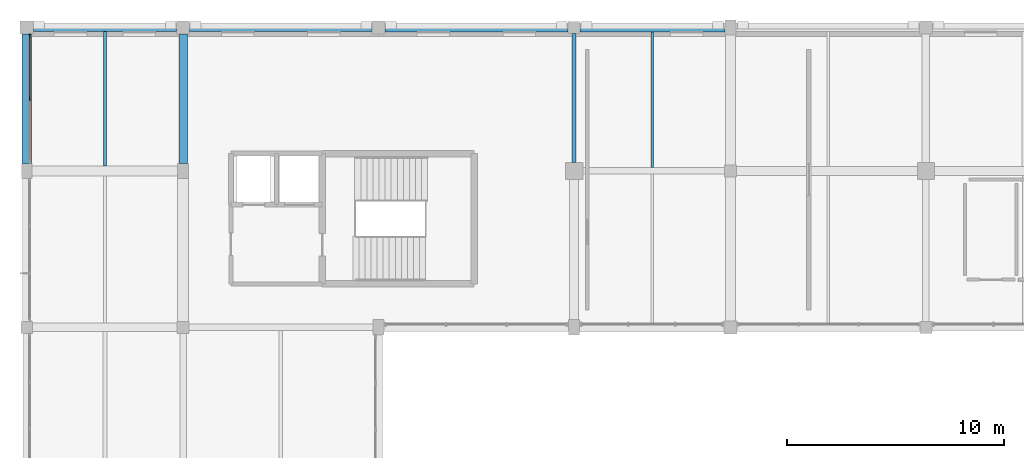
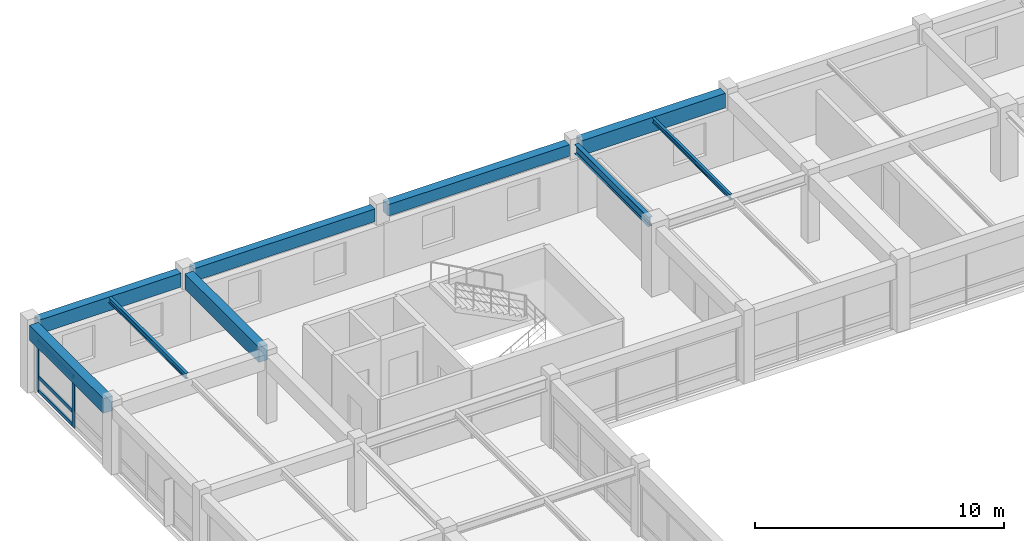
# One storey, part 25 of 74: 9 beams, 5 members, 1 element without a shape of its own.
"""IFC4 building model written with IfcOpenShell, lengths in metres."""

from ifc_helpers import new_model, si_unit, direction, frame, origin, origin_2d, place, context, subcontext, project, spatial, rectangle, i_section, extrude, material, material_profile, profile_set, type_object, element, aggregate, save


model = new_model("IFC4")

# Units and contexts
model_context = context("Model", 3, precision=1e-05, world=origin(), true_north=direction((0.0, 1.0)))
body_context = subcontext(model_context, "Body", "Model", "MODEL_VIEW")
ifc_project = project(units=[si_unit("LENGTHUNIT", "METRE"), si_unit("AREAUNIT", "SQUARE_METRE"), si_unit("VOLUMEUNIT", "CUBIC_METRE"), si_unit("PLANEANGLEUNIT", "RADIAN"), si_unit("MASSUNIT", "GRAM", prefix="KILO")], contexts=[model_context])

# Site, building, storey
site_placement = place(None, origin())
site = spatial("IfcSite", under=ifc_project, at=site_placement, CompositionType="ELEMENT")
building_placement = place(site_placement, origin())
building = spatial("IfcBuilding", under=site, at=building_placement, Name="Clarverna Civic Hall", CompositionType="ELEMENT")
storey_placement = place(building_placement, frame((0.0, 0.0, 9.60009765625)))
storey = spatial("IfcBuildingStorey", under=building, at=storey_placement, Name="L02", CompositionType="ELEMENT", Elevation=9.60009765625)

# Beams
ifc_material_1 = material(Name="Concrete C35/45", Category="concrete")
ifc_material_profile_1 = material_profile(ifc_material_1, rectangle(XDim=0.39990234375, YDim=0.75, at=origin_2d()), Name="RC 400x750")
ifc_profile_set_1 = profile_set([ifc_material_profile_1], Name="Concrete C35/45")
beam_type_1 = type_object("IfcBeamType", Name="B-RC16", PredefinedType="BEAM", material=ifc_profile_set_1)
beam_1_placement = place(storey_placement, frame((7.199951171875, 109.75, 2.94482421875), z_axis=(0.0, 1.0, 0.0), x_axis=(-1.0, 0.0, 0.0)))
element("IfcBeam", 1, at=beam_1_placement, inside=storey, type_object=beam_type_1, Name="B-RC16-026", PredefinedType="BEAM", context=body_context, shape_type="SweptSolid", body=[
    extrude(rectangle(XDim=0.39990234375, YDim=0.75, at=origin_2d()), origin(), (0.0, 0.0, 1.0), 5.949951171875),
])
ifc_material_profile_2 = material_profile(ifc_material_1, rectangle(XDim=0.419921875, YDim=0.719970703125, at=origin_2d()), Name="RC 420x720")
ifc_profile_set_2 = profile_set([ifc_material_profile_2], Name="Concrete C35/45")
beam_type_2 = type_object("IfcBeamType", Name="B-SP1", PredefinedType="SPANDREL", material=ifc_profile_set_2)
beam_2_placement = place(storey_placement, frame((25.47509765625, 116.0, 2.9599609375), z_axis=(1.0, 0.0, 0.0), x_axis=(0.0, 1.0, 0.0)))
element("IfcBeam", 2, at=beam_2_placement, inside=storey, type_object=beam_type_2, Name="B-SP1-090", PredefinedType="SPANDREL", context=body_context, shape_type="SweptSolid", body=[
    extrude(rectangle(XDim=0.419921875, YDim=0.719970703125, at=origin_2d()), origin(), (0.0, 0.0, 1.0), 6.6748046875),
])
beam_3_placement = place(storey_placement, frame((0.0, 109.75, 2.9599609375), z_axis=(0.0, 1.0, 0.0), x_axis=(-1.0, 0.0, 0.0)))
element("IfcBeam", 3, at=beam_3_placement, inside=storey, type_object=beam_type_2, Name="B-SP1-096", PredefinedType="SPANDREL", context=body_context, shape_type="SweptSolid", body=[
    extrude(rectangle(XDim=0.419921875, YDim=0.719970703125, at=origin_2d()), origin(), (0.0, 0.0, 1.0), 5.949951171875),
])
ifc_material_profile_3 = material_profile(ifc_material_1, rectangle(XDim=0.3798828125, YDim=0.679931640625, at=origin_2d()), Name="RC 380x680")
ifc_profile_set_3 = profile_set([ifc_material_profile_3], Name="Concrete C35/45")
beam_type_3 = type_object("IfcBeamType", Name="B-SP2", PredefinedType="SPANDREL", material=ifc_profile_set_3)
beam_4_placement = place(storey_placement, frame((0.300048828125, 116.0, 2.97998046875), z_axis=(1.0, 0.0, 0.0), x_axis=(0.0, 1.0, 0.0)))
element("IfcBeam", 4, at=beam_4_placement, inside=storey, type_object=beam_type_3, Name="B-SP2-093", PredefinedType="SPANDREL", context=body_context, shape_type="SweptSolid", body=[
    extrude(rectangle(XDim=0.3798828125, YDim=0.679931640625, at=origin_2d()), origin(), (0.0, 0.0, 1.0), 6.599853515625),
])
ifc_material_profile_4 = material_profile(ifc_material_1, rectangle(XDim=0.360107421875, YDim=0.6201171875, at=origin_2d()), Name="RC 360x620")
ifc_profile_set_4 = profile_set([ifc_material_profile_4], Name="Concrete C35/45")
beam_type_4 = type_object("IfcBeamType", Name="B-SP3", PredefinedType="SPANDREL", material=ifc_profile_set_4)
beam_5_placement = place(storey_placement, frame((7.5, 116.0, 3.010009765625), z_axis=(1.0, 0.0, 0.0), x_axis=(0.0, 1.0, 0.0)))
element("IfcBeam", 5, at=beam_5_placement, inside=storey, type_object=beam_type_4, Name="B-SP3-092", PredefinedType="SPANDREL", context=body_context, shape_type="SweptSolid", body=[
    extrude(rectangle(XDim=0.360107421875, YDim=0.6201171875, at=origin_2d()), origin(), (0.0, 0.0, 1.0), 8.39990234375),
])
ifc_material_profile_5 = material_profile(ifc_material_1, rectangle(XDim=0.39990234375, YDim=0.56005859375, at=origin_2d()), Name="RC 400x560")
ifc_profile_set_5 = profile_set([ifc_material_profile_5], Name="Concrete C35/45")
beam_type_5 = type_object("IfcBeamType", Name="B-SP4", PredefinedType="SPANDREL", material=ifc_profile_set_5)
beam_6_placement = place(storey_placement, frame((16.5, 116.0, 3.039794921875), z_axis=(1.0, 0.0, 0.0), x_axis=(0.0, 1.0, 0.0)))
element("IfcBeam", 6, at=beam_6_placement, inside=storey, type_object=beam_type_5, Name="B-SP4-091", PredefinedType="SPANDREL", context=body_context, shape_type="SweptSolid", body=[
    extrude(rectangle(XDim=0.39990234375, YDim=0.56005859375, at=origin_2d()), origin(), (0.0, 0.0, 1.0), 8.425048828125),
])
ifc_material_2 = material(Name="Steel S355", Category="steel")
ifc_material_profile_6 = material_profile(ifc_material_2, i_section(OverallWidth=0.18994140625, OverallDepth=0.449951171875, WebThickness=0.009521484375, FlangeThickness=0.0146484375, FilletRadius=0.02099609375, at=origin_2d()), Name="IPE 450")
ifc_profile_set_6 = profile_set([ifc_material_profile_6], Name="Steel S355")
beam_type_6 = type_object("IfcBeamType", Name="B-ST13", PredefinedType="BEAM", material=ifc_profile_set_6)
beam_7_placement = place(storey_placement, frame((25.199951171875, 109.800048828125, 3.094970703125), z_axis=(0.0, 1.0, 0.0), x_axis=(-1.0, 0.0, 0.0)))
element("IfcBeam", 7, at=beam_7_placement, inside=storey, type_object=beam_type_6, Name="B-ST13-010", PredefinedType="BEAM", context=body_context, shape_type="SweptSolid", body=[
    extrude(i_section(OverallWidth=0.18994140625, OverallDepth=0.449951171875, WebThickness=0.009521484375, FlangeThickness=0.0146484375, FilletRadius=0.02099609375, at=origin_2d()), origin(), (0.0, 0.0, 1.0), 5.925048828125),
])

# Curtain wall, members
ifc_material_3 = material(Name="Anodised Bronze Architectural Aluminium", Category="aluminium")
curtain_wall_type = type_object("IfcCurtainWallType", Name="CW-01", PredefinedType="USERDEFINED", material=ifc_material_3)
curtain_wall_placement = place(storey_placement, origin())
curtain_wall = element("IfcCurtainWall", 8, at=curtain_wall_placement, inside=storey, type_object=curtain_wall_type, Name="CW-01-029", ObjectType="UNITISED CURTAIN WALL", PredefinedType="USERDEFINED")
ifc_material_profile_7 = material_profile(ifc_material_3, rectangle(XDim=0.06494140625, YDim=0.199951171875, at=origin_2d()), Name="BRONZE 65x200")
ifc_profile_set_7 = profile_set([ifc_material_profile_7], Name="Anodised Bronze Architectural Aluminium")
member_type_1 = type_object("IfcMemberType", Name="CWM-03", PredefinedType="MULLION", material=ifc_profile_set_7)
member_1_placement = place(storey_placement, frame((0.139892578125, 112.72509765625, 0.0), z_axis=(0.0, 0.0, 1.0), x_axis=(1.0, 0.0, 0.0)))
member_1 = element("IfcMember", 9, at=member_1_placement, type_object=member_type_1, Name="CWM-03-080", PredefinedType="MULLION", context=body_context, shape_type="SweptSolid", body=[
    extrude(rectangle(XDim=0.06494140625, YDim=0.199951171875, at=origin_2d()), origin(), (0.0, 0.0, 1.0), 2.56982421875),
])
member_2_placement = place(storey_placement, frame((0.139892578125, 115.626953125, 0.0), z_axis=(0.0, 0.0, 1.0), x_axis=(1.0, 0.0, 0.0)))
member_2 = element("IfcMember", 10, at=member_2_placement, type_object=member_type_1, Name="CWM-03-081", PredefinedType="MULLION", context=body_context, shape_type="SweptSolid", body=[
    extrude(rectangle(XDim=0.06494140625, YDim=0.199951171875, at=origin_2d()), origin(), (0.0, 0.0, 1.0), 2.56982421875),
])
ifc_material_profile_8 = material_profile(ifc_material_3, rectangle(XDim=0.06494140625, YDim=0.169921875, at=origin_2d()), Name="BRONZE 65x170")
ifc_profile_set_8 = profile_set([ifc_material_profile_8], Name="Anodised Bronze Architectural Aluminium")
member_type_2 = type_object("IfcMemberType", Name="CWT-03", PredefinedType="USERDEFINED", material=ifc_profile_set_8)
member_3_placement = place(storey_placement, frame((0.139892578125, 112.739990234375, 0.094970703125), z_axis=(0.0, 1.0, 0.0), x_axis=(-1.0, 0.0, 0.0)))
member_3 = element("IfcMember", 11, at=member_3_placement, type_object=member_type_2, Name="CWT-03-169", ObjectType="TRANSOM", PredefinedType="USERDEFINED", context=body_context, shape_type="SweptSolid", body=[
    extrude(rectangle(XDim=0.06494140625, YDim=0.169921875, at=origin_2d()), origin(), (0.0, 0.0, 1.0), 2.8720703125),
])
member_4_placement = place(storey_placement, frame((0.139892578125, 112.739990234375, 0.75), z_axis=(0.0, 1.0, 0.0), x_axis=(-1.0, 0.0, 0.0)))
member_4 = element("IfcMember", 12, at=member_4_placement, type_object=member_type_2, Name="CWT-03-170", ObjectType="TRANSOM", PredefinedType="USERDEFINED", context=body_context, shape_type="SweptSolid", body=[
    extrude(rectangle(XDim=0.06494140625, YDim=0.169921875, at=origin_2d()), origin(), (0.0, 0.0, 1.0), 2.8720703125),
])
member_5_placement = place(storey_placement, frame((0.139892578125, 112.739990234375, 2.474853515625), z_axis=(0.0, 1.0, 0.0), x_axis=(-1.0, 0.0, 0.0)))
member_5 = element("IfcMember", 13, at=member_5_placement, type_object=member_type_2, Name="CWT-03-171", ObjectType="TRANSOM", PredefinedType="USERDEFINED", context=body_context, shape_type="SweptSolid", body=[
    extrude(rectangle(XDim=0.06494140625, YDim=0.169921875, at=origin_2d()), origin(), (0.0, 0.0, 1.0), 2.8720703125),
])
aggregate(curtain_wall, [member_1, member_2, member_3, member_4, member_5])

# Beams
ifc_material_profile_9 = material_profile(ifc_material_2, i_section(OverallWidth=0.135009765625, OverallDepth=0.27001953125, WebThickness=0.006591796875, FlangeThickness=0.01025390625, FilletRadius=0.014892578125, at=origin_2d()), Name="IPE 270")
ifc_profile_set_9 = profile_set([ifc_material_profile_9], Name="Steel S355")
beam_type_7 = type_object("IfcBeamType", Name="J-ST4", PredefinedType="JOIST", material=ifc_profile_set_9)
beam_8_placement = place(storey_placement, frame((3.60009765625, 109.625, 3.184814453125), z_axis=(0.0, 1.0, 0.0), x_axis=(-1.0, 0.0, 0.0)))
element("IfcBeam", 14, at=beam_8_placement, inside=storey, type_object=beam_type_7, Name="J-ST4-060", PredefinedType="JOIST", context=body_context, shape_type="SweptSolid", body=[
    extrude(i_section(OverallWidth=0.135009765625, OverallDepth=0.27001953125, WebThickness=0.006591796875, FlangeThickness=0.01025390625, FilletRadius=0.014892578125, at=origin_2d()), origin(), (0.0, 0.0, 1.0), 6.18505859375),
])
ifc_material_profile_10 = material_profile(ifc_material_2, i_section(OverallWidth=0.1201171875, OverallDepth=0.239990234375, WebThickness=0.006103515625, FlangeThickness=0.009765625, FilletRadius=0.014892578125, at=origin_2d()), Name="IPE 240")
ifc_profile_set_10 = profile_set([ifc_material_profile_10], Name="Steel S355")
beam_type_8 = type_object("IfcBeamType", Name="J-ST5", PredefinedType="JOIST", material=ifc_profile_set_10)
beam_9_placement = place(storey_placement, frame((28.800048828125, 109.550048828125, 3.199951171875), z_axis=(0.0, 1.0, 0.0), x_axis=(-1.0, 0.0, 0.0)))
element("IfcBeam", 15, at=beam_9_placement, inside=storey, type_object=beam_type_8, Name="J-ST5-058", PredefinedType="JOIST", context=body_context, shape_type="SweptSolid", body=[
    extrude(i_section(OverallWidth=0.1201171875, OverallDepth=0.239990234375, WebThickness=0.006103515625, FlangeThickness=0.009765625, FilletRadius=0.014892578125, at=origin_2d()), origin(), (0.0, 0.0, 1.0), 6.239990234375),
])

save(model, "model.ifc")
